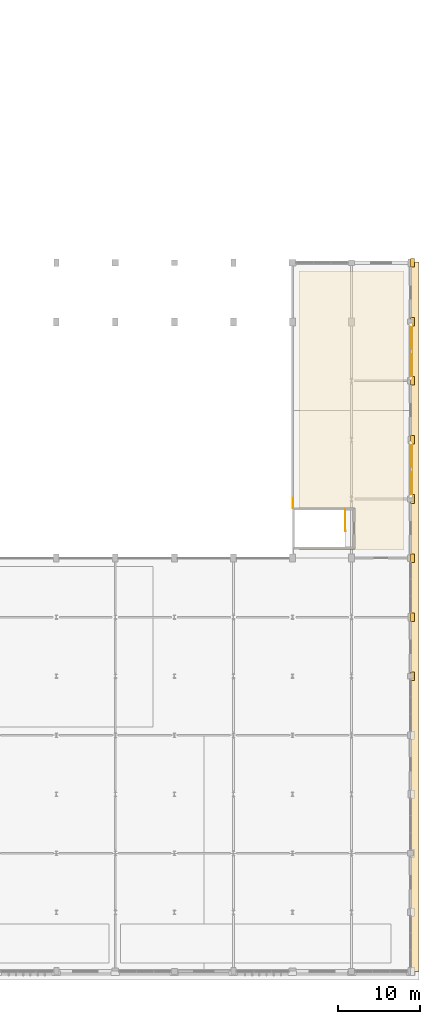
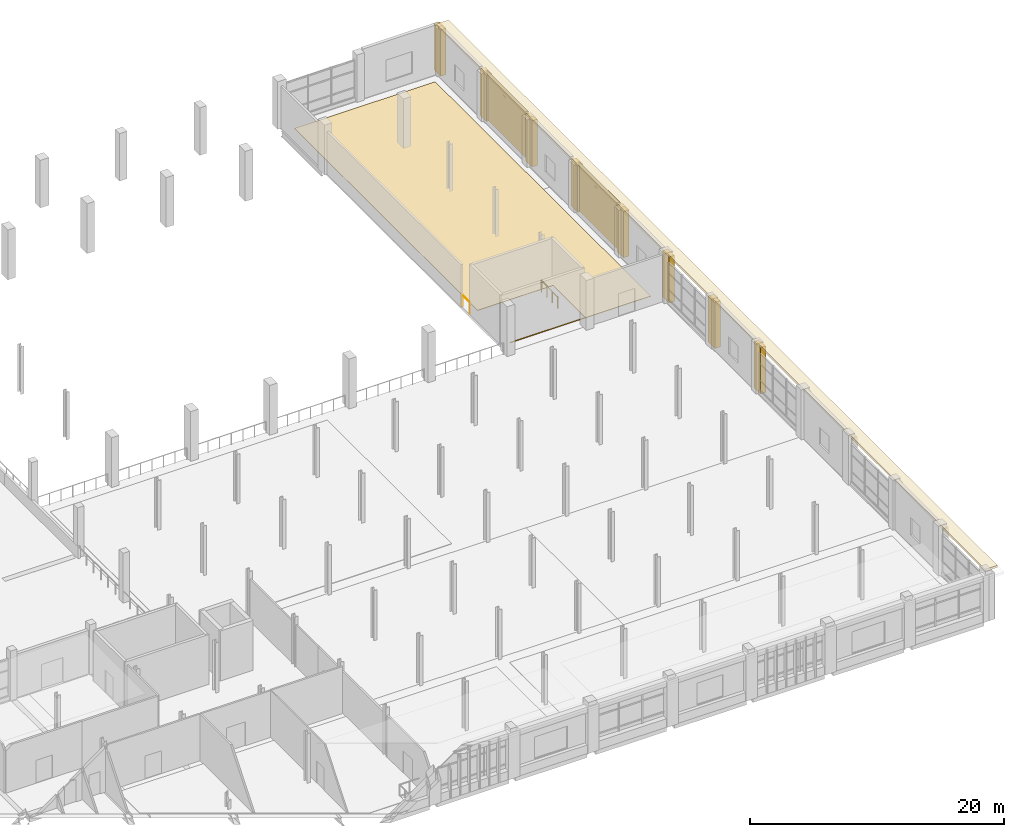
# One storey, part 82 of 82: 12 coverings, 2 railings.
"""IFC4 building model written with IfcOpenShell, lengths in metres."""

from ifc_helpers import new_model, si_unit, direction, frame, frame_2d, origin, origin_2d, place, context, subcontext, project, spatial, polyline, rectangle, circle, outline, extrude, material, layer, layer_set, type_object, element, save


model = new_model("IFC4")

# Units and contexts
model_context = context("Model", 3, precision=1e-05, world=origin(), true_north=direction((0.0, 1.0)))
body_context = subcontext(model_context, "Body", "Model", "MODEL_VIEW")
ifc_project = project(units=[si_unit("LENGTHUNIT", "METRE"), si_unit("AREAUNIT", "SQUARE_METRE"), si_unit("VOLUMEUNIT", "CUBIC_METRE"), si_unit("PLANEANGLEUNIT", "RADIAN"), si_unit("MASSUNIT", "GRAM", prefix="KILO")], contexts=[model_context])

# Site, building, storey
site_placement = place(None, origin())
site = spatial("IfcSite", under=ifc_project, at=site_placement, CompositionType="ELEMENT")
building_placement = place(site_placement, origin())
building = spatial("IfcBuilding", under=site, at=building_placement, Name="Sardonyx Promenade Sports Hall", CompositionType="ELEMENT")
storey_placement = place(building_placement, frame((0.0, 0.0, 11.199951171875)))
storey = spatial("IfcBuildingStorey", under=building, at=storey_placement, Name="L02", CompositionType="ELEMENT", Elevation=11.199951171875)

# Coverings
ifc_material_1 = material(Name="Dressed Cape red sandstone cornice", Category="masonry")
ifc_layer_1 = layer(ifc_material_1, 0.139892578125)
ifc_layer_set_1 = layer_set([ifc_layer_1], Name="Cov_Chhajja_Eave")
covering_type_1 = type_object("IfcCoveringType", Name="Cov_Chhajja_Eave", PredefinedType="MOLDING", material=ifc_layer_set_1)
covering_1_placement = place(storey_placement, frame((0.0, 0.0, 4.449951171875)))
element("IfcCovering", 1, at=covering_1_placement, inside=storey, type_object=covering_type_1, Name="East facade L02 chhajja cornice", PredefinedType="MOLDING", context=body_context, shape_type="SweptSolid", body=[
    extrude(outline(polyline([(165.550048828125, 0.0), (166.64990234375, 0.0), (166.64990234375, 86.5), (165.550048828125, 86.5), (165.550048828125, 0.0)])), origin(), (0.0, 0.0, 1.0), 0.22021484375),
])
ifc_material_2 = material(Name="Dressed Cape red sandstone ashlar", Category="masonry")
ifc_layer_2 = layer(ifc_material_2, 0.06005859375)
ifc_layer_set_2 = layer_set([ifc_layer_2], Name="Cov_Cladding_Sandstone")
covering_type_2 = type_object("IfcCoveringType", Name="Cov_Cladding_Sandstone", PredefinedType="CLADDING", material=ifc_layer_set_2)
covering_2_placement = place(storey_placement, frame((165.77490234375, 78.864990234375, 0.050048828125), z_axis=(0.0, 0.0, 1.0), x_axis=(0.0, -1.0, 0.0)))
element("IfcCovering", 2, at=covering_2_placement, inside=storey, type_object=covering_type_2, Name="Dressed sandstone ashlar cladding L02 #117", PredefinedType="CLADDING", context=body_context, shape_type="SweptSolid", body=[
    extrude(rectangle(XDim=6.47998046875, YDim=0.050048828125, at=frame_2d((3.239990234375, 0.0))), origin(), (0.0, 0.0, 1.0), 4.699951171875),
])
covering_3_placement = place(storey_placement, frame((165.77490234375, 64.364990234375, 0.050048828125), z_axis=(0.0, 0.0, 1.0), x_axis=(0.0, -1.0, 0.0)))
element("IfcCovering", 3, at=covering_3_placement, inside=storey, type_object=covering_type_2, Name="Dressed sandstone ashlar cladding L02 #119", PredefinedType="CLADDING", context=body_context, shape_type="SweptSolid", body=[
    extrude(rectangle(XDim=6.429931640625, YDim=0.050048828125, at=frame_2d((3.21484375, 0.0))), origin(), (0.0, 0.0, 1.0), 4.699951171875),
])
covering_4_placement = place(storey_placement, origin())
element("IfcCovering", 4, at=covering_4_placement, inside=storey, type_object=covering_type_2, Name="East sandstone pier casing L02 #5", PredefinedType="CLADDING", context=body_context, shape_type="SweptSolid", body=[
    extrude(outline(polyline([(165.580078125, 35.47998046875), (166.080078125, 35.47998046875), (166.080078125, 36.52001953125), (165.580078125, 36.52001953125), (165.580078125, 35.47998046875)])), origin(), (0.0, 0.0, 1.0), 4.449951171875),
])
covering_5_placement = place(storey_placement, origin())
element("IfcCovering", 5, at=covering_5_placement, inside=storey, type_object=covering_type_2, Name="East sandstone pier casing L02 #6", PredefinedType="CLADDING", context=body_context, shape_type="SweptSolid", body=[
    extrude(outline(polyline([(165.580078125, 42.679931640625), (166.080078125, 42.679931640625), (166.080078125, 43.719970703125), (165.580078125, 43.719970703125), (165.580078125, 42.679931640625)])), origin(), (0.0, 0.0, 1.0), 4.449951171875),
])
covering_6_placement = place(storey_placement, origin())
element("IfcCovering", 6, at=covering_6_placement, inside=storey, type_object=covering_type_2, Name="East sandstone pier casing L02 #7", PredefinedType="CLADDING", context=body_context, shape_type="SweptSolid", body=[
    extrude(outline(polyline([(165.580078125, 49.8798828125), (166.080078125, 49.8798828125), (166.080078125, 50.919921875), (165.580078125, 50.919921875), (165.580078125, 49.8798828125)])), origin(), (0.0, 0.0, 1.0), 4.449951171875),
])
covering_7_placement = place(storey_placement, origin())
element("IfcCovering", 7, at=covering_7_placement, inside=storey, type_object=covering_type_2, Name="East sandstone pier casing L02 #8", PredefinedType="CLADDING", context=body_context, shape_type="SweptSolid", body=[
    extrude(outline(polyline([(165.580078125, 57.080078125), (166.080078125, 57.080078125), (166.080078125, 58.1201171875), (165.580078125, 58.1201171875), (165.580078125, 57.080078125)])), origin(), (0.0, 0.0, 1.0), 4.449951171875),
])
covering_8_placement = place(storey_placement, origin())
element("IfcCovering", 8, at=covering_8_placement, inside=storey, type_object=covering_type_2, Name="East sandstone pier casing L02 #9", PredefinedType="CLADDING", context=body_context, shape_type="SweptSolid", body=[
    extrude(outline(polyline([(165.580078125, 64.280029296875), (166.080078125, 64.280029296875), (166.080078125, 65.320068359375), (165.580078125, 65.320068359375), (165.580078125, 64.280029296875)])), origin(), (0.0, 0.0, 1.0), 4.449951171875),
])
covering_9_placement = place(storey_placement, origin())
element("IfcCovering", 9, at=covering_9_placement, inside=storey, type_object=covering_type_2, Name="East sandstone pier casing L02 #10", PredefinedType="CLADDING", context=body_context, shape_type="SweptSolid", body=[
    extrude(outline(polyline([(165.580078125, 71.47998046875), (166.080078125, 71.47998046875), (166.080078125, 72.52001953125), (165.580078125, 72.52001953125), (165.580078125, 71.47998046875)])), origin(), (0.0, 0.0, 1.0), 4.449951171875),
])
covering_10_placement = place(storey_placement, origin())
element("IfcCovering", 10, at=covering_10_placement, inside=storey, type_object=covering_type_2, Name="East sandstone pier casing L02 #11", PredefinedType="CLADDING", context=body_context, shape_type="SweptSolid", body=[
    extrude(outline(polyline([(165.580078125, 78.679931640625), (166.080078125, 78.679931640625), (166.080078125, 79.719970703125), (165.580078125, 79.719970703125), (165.580078125, 78.679931640625)])), origin(), (0.0, 0.0, 1.0), 4.449951171875),
])
covering_11_placement = place(storey_placement, origin())
element("IfcCovering", 11, at=covering_11_placement, inside=storey, type_object=covering_type_2, Name="East sandstone pier casing L02 #12", PredefinedType="CLADDING", context=body_context, shape_type="SweptSolid", body=[
    extrude(outline(polyline([(165.580078125, 85.8798828125), (166.080078125, 85.8798828125), (166.080078125, 86.919921875), (165.580078125, 86.919921875), (165.580078125, 85.8798828125)])), origin(), (0.0, 0.0, 1.0), 4.449951171875),
])
ifc_material_3 = material(Name="FIBA Grade 1 sprung maple hardwood court flooring", Category="wood")
ifc_layer_3 = layer(ifc_material_3, 0.044921875)
ifc_layer_set_3 = layer_set([ifc_layer_3], Name="Cov_Floor_Maple")
covering_type_3 = type_object("IfcCoveringType", Name="Cov_Floor_Maple", PredefinedType="FLOORING", material=ifc_layer_set_3)
covering_12_placement = place(storey_placement, origin())
element("IfcCovering", 12, at=covering_12_placement, inside=storey, type_object=covering_type_3, Name="Athletic flooring FLR1 L02 #10", PredefinedType="FLOORING", context=body_context, shape_type="SweptSolid", body=[
    extrude(outline(polyline([(152.0, 85.39990234375), (152.0, 56.52490234375), (158.85009765625, 56.52490234375), (158.85009765625, 51.47509765625), (152.0, 51.47509765625), (152.0, 51.39990234375), (164.800048828125, 51.39990234375), (164.800048828125, 85.39990234375), (152.0, 85.39990234375)])), origin(), (0.0, 0.0, 1.0), 0.045166015625),
])

# Railings
ifc_material_4 = material(Name="Powder-coated Steel S355JR", Category="steel")
railing_type = type_object("IfcRailingType", Name="Rail_Int_Guard_1100", PredefinedType="GUARDRAIL", material=ifc_material_4)
railing_1_placement = place(storey_placement, frame((157.639892578125, 56.2548828125, 0.0)))
element("IfcRailing", 13, at=railing_1_placement, inside=storey, type_object=railing_type, Name="Stair floor-edge guard ST8 L02", PredefinedType="GUARDRAIL", context=body_context, shape_type="SweptSolid", body=[
    extrude(circle(Radius=0.02392578125, at=origin_2d()), frame((0.0, 0.0, 1.09619140625), z_axis=(0.0, -1.0, 0.0), x_axis=(1.0, 0.0, 0.0)), (0.0, 0.0, 1.0), 2.56982421875),
    extrude(circle(Radius=0.02392578125, at=origin_2d()), frame((0.0, -2.56982421875, 1.09619140625), z_axis=(1.0, 0.0, 0.0), x_axis=(0.0, 1.0, 0.0)), (0.0, 0.0, 1.0), 0.010009765625),
    extrude(circle(Radius=0.02099609375, at=origin_2d()), origin(), (0.0, 0.0, 1.0), 1.072021484375),
    extrude(circle(Radius=0.02099609375, at=origin_2d()), frame((0.0, -0.856689453125, 0.0)), (0.0, 0.0, 1.0), 1.072021484375),
    extrude(circle(Radius=0.02099609375, at=origin_2d()), frame((0.0, -1.713134765625, 0.0)), (0.0, 0.0, 1.0), 1.072021484375),
    extrude(circle(Radius=0.02099609375, at=origin_2d()), frame((0.0, -2.56982421875, 0.0)), (0.0, 0.0, 1.0), 1.072021484375),
    extrude(circle(Radius=0.02099609375, at=origin_2d()), frame((0.010009765625, -2.56982421875, 0.0)), (0.0, 0.0, 1.0), 1.072021484375),
])
railing_2_placement = place(storey_placement, frame((151.27001953125, 57.679931640625, 0.0)))
element("IfcRailing", 14, at=railing_2_placement, inside=storey, type_object=railing_type, Name="Deck-edge guardrail GR02 L02 #33", PredefinedType="GUARDRAIL", context=body_context, shape_type="SweptSolid", body=[
    extrude(circle(Radius=0.02392578125, at=origin_2d()), frame((0.0, 0.0, 1.09619140625), z_axis=(0.0, -1.0, 0.0), x_axis=(1.0, 0.0, 0.0)), (0.0, 0.0, 1.0), 1.19482421875),
    extrude(circle(Radius=0.02099609375, at=origin_2d()), origin(), (0.0, 0.0, 1.0), 1.072021484375),
    extrude(circle(Radius=0.02099609375, at=origin_2d()), frame((0.0, -1.19482421875, 0.0)), (0.0, 0.0, 1.0), 1.072021484375),
])

save(model, "model.ifc")
